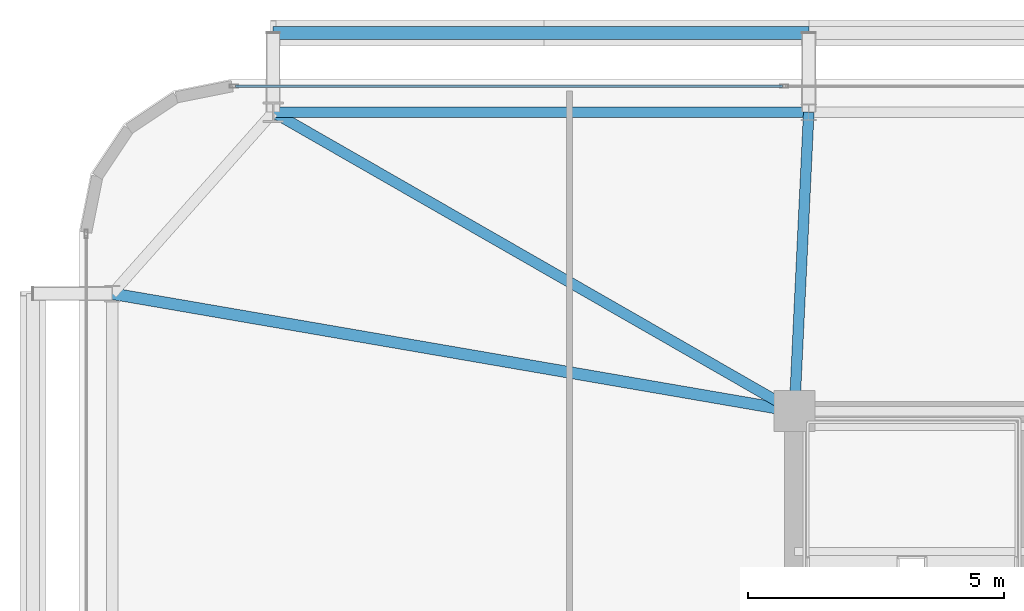
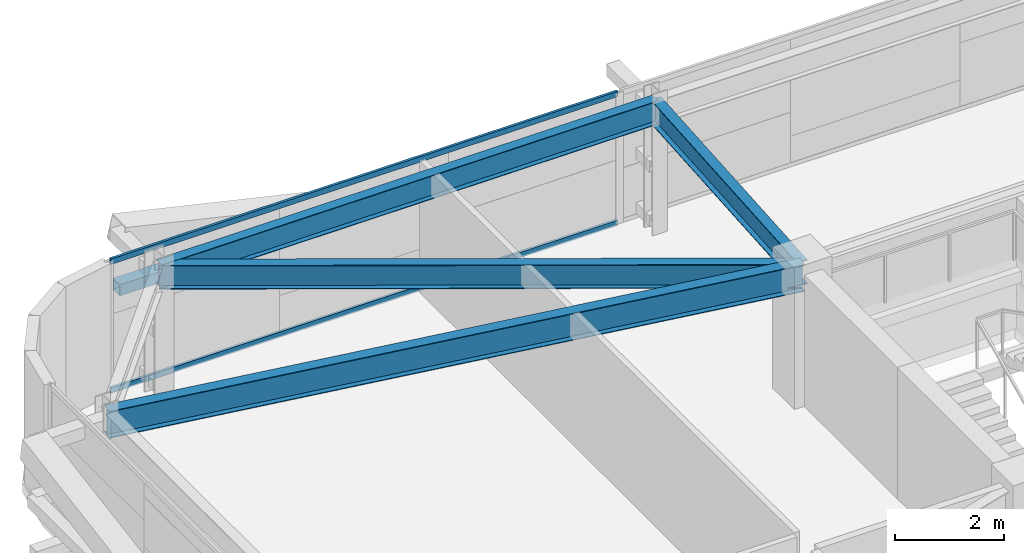
# One storey, part 22 of 44: 4 beams, 3 members, 1 element without a shape of its own.
"""IFC4 building model written with IfcOpenShell, lengths in metres."""

import ifcopenshell
import ifcopenshell.guid

model = None  # the IFC model being written
_history = None  # IfcOwnerHistory: only IFC2X3 demands one
_inside = {}  # id of a spatial element -> (the spatial element, [elements in it])
_under = {}  # id of a project, library or spatial element -> (it, [spatial elements below it])
_declared = {}  # id of a project -> (the project, [libraries it declares])
_typed = {}  # id of a type object -> (the type object, [elements of that type])
_made_of = {}  # id of a material, layer set ... -> (it, [elements and type objects made of it])


def new_model(schema):
    """Start an empty IFC model of exactly this schema.

    Asked for "IFC4X3", IfcOpenShell would pick the latest addendum, in which some entities
    have other attributes; the version numbers below select the first issue.
    IFC2X3 requires an IfcOwnerHistory on every rooted entity: one is made here for all.
    """
    global model, _history
    if schema == "IFC4X3":
        model = ifcopenshell.file(schema_version=(4, 3, 0, 0))
    else:
        model = ifcopenshell.file(schema=schema)
    _inside.clear()
    _under.clear()
    _declared.clear()
    _typed.clear()
    _made_of.clear()
    _history = None
    if model.schema == "IFC2X3":
        org = make("IfcOrganization", Name="unknown")
        user = make(
            "IfcPersonAndOrganization",
            ThePerson=make("IfcPerson", FamilyName="unknown"),
            TheOrganization=org,
        )
        app = make(
            "IfcApplication",
            ApplicationDeveloper=org,
            Version="unknown",
            ApplicationFullName="unknown",
            ApplicationIdentifier="unknown",
        )
        _history = make(
            "IfcOwnerHistory",
            OwningUser=user,
            OwningApplication=app,
            ChangeAction="ADDED",
            CreationDate=0,
        )
    return model


def make(cls, **values):
    """One entity of the class cls with the attributes given. An attribute that is None is left unset."""
    return model.create_entity(
        cls, **{name: value for name, value in values.items() if value is not None}
    )


def rooted(cls, **values):
    """An entity with a GlobalId (a new one), such as an element, a storey or a relation."""
    return make(cls, GlobalId=ifcopenshell.guid.new(), OwnerHistory=_history, **values)


def si_unit(unit_type, name, prefix=None):
    """IfcSIUnit, for example si_unit("LENGTHUNIT", "METRE", prefix="MILLI")."""
    return make("IfcSIUnit", UnitType=unit_type, Prefix=prefix, Name=name)


def assignment(units):
    """IfcUnitAssignment: the units of a project."""
    return None if units is None else make("IfcUnitAssignment", Units=units)


def point(xyz):
    """IfcCartesianPoint."""
    return None if xyz is None else make("IfcCartesianPoint", Coordinates=xyz)


def direction(xyz):
    """IfcDirection."""
    return None if xyz is None else make("IfcDirection", DirectionRatios=xyz)


def frame(location, z_axis=None, x_axis=None):
    """IfcAxis2Placement3D, a coordinate frame: its origin and axes. An axis left out is left unset."""
    return make(
        "IfcAxis2Placement3D",
        Location=point(location),
        Axis=direction(z_axis),
        RefDirection=direction(x_axis),
    )


def frame_2d(location, x_axis=None):
    """IfcAxis2Placement2D, a coordinate frame in the plane: its origin and x axis."""
    return make(
        "IfcAxis2Placement2D", Location=point(location), RefDirection=direction(x_axis)
    )


def origin():
    """The frame at (0, 0, 0) with its axes left unset."""
    return frame((0.0, 0.0, 0.0))


def origin_2d():
    """The frame at (0, 0) in the plane with its x axis left unset."""
    return frame_2d((0.0, 0.0))


def place(relative_to, where):
    """IfcLocalPlacement: puts the frame where relative to a parent placement (None: the world)."""
    return make(
        "IfcLocalPlacement", PlacementRelTo=relative_to, RelativePlacement=where
    )


def context(
    kind, dimensions, precision=None, world=None, true_north=None, identifier=None
):
    """IfcGeometricRepresentationContext, for example the 3D "Model" context."""
    return make(
        "IfcGeometricRepresentationContext",
        ContextIdentifier=identifier,
        ContextType=kind,
        CoordinateSpaceDimension=dimensions,
        Precision=precision,
        WorldCoordinateSystem=world,
        TrueNorth=true_north,
    )


def subcontext(parent, identifier, kind, view, scale=None):
    """IfcGeometricRepresentationSubContext, for example "Body" below "Model"."""
    return make(
        "IfcGeometricRepresentationSubContext",
        ContextIdentifier=identifier,
        ContextType=kind,
        ParentContext=parent,
        TargetScale=scale,
        TargetView=view,
    )


def project(units=None, contexts=None):
    """IfcProject with its units and contexts."""
    return rooted(
        "IfcProject",
        Name="project",
        RepresentationContexts=contexts,
        UnitsInContext=assignment(units),
    )


def spatial(cls, under=None, at=None, **own):
    """A site, building, storey or space (cls), placed at a placement, below another one or the project."""
    s = rooted(cls, ObjectPlacement=at, **own)
    if under is not None:
        _under.setdefault(under.id(), (under, []))[1].append(s)
    return s


def profile(cls, at=None, kind="AREA", **sizes):
    """A parametric profile (cls). Its sizes go by their IFC names, for example OverallWidth=200.0."""
    return make(cls, ProfileType=kind, Position=at, **sizes)


def hollow_rectangle(**sizes):
    """IfcRectangleHollowProfileDef."""
    return profile("IfcRectangleHollowProfileDef", **sizes)


def i_section(**sizes):
    """IfcIShapeProfileDef."""
    return profile("IfcIShapeProfileDef", **sizes)


def extrude(swept, where, along, depth):
    """IfcExtrudedAreaSolid: the profile swept, set in the frame where, extruded along a direction by depth."""
    return make(
        "IfcExtrudedAreaSolid",
        SweptArea=swept,
        Position=where,
        ExtrudedDirection=direction(along),
        Depth=depth,
    )


def shape(context_of_items, identifier, shape_type, items):
    """IfcShapeRepresentation: the items that make up one representation, for example the "Body"."""
    return make(
        "IfcShapeRepresentation",
        ContextOfItems=context_of_items,
        RepresentationIdentifier=identifier,
        RepresentationType=shape_type,
        Items=items,
    )


def source(mapping_origin, context_of_items, identifier, shape_type, items):
    """IfcRepresentationMap: a shape defined once, which mapped items show again and again."""
    return make(
        "IfcRepresentationMap",
        MappingOrigin=mapping_origin,
        MappedRepresentation=shape(context_of_items, identifier, shape_type, items),
    )


def transform(
    local_origin,
    x_axis=None,
    y_axis=None,
    z_axis=None,
    scale=None,
    scale2=None,
    scale3=None,
    uniform=True,
):
    """IfcCartesianTransformationOperator3D, or its non-uniform kind. x_axis, y_axis, z_axis: its Axis1, 2, 3."""
    if uniform:
        return make(
            "IfcCartesianTransformationOperator3D",
            Axis1=direction(x_axis),
            Axis2=direction(y_axis),
            LocalOrigin=point(local_origin),
            Scale=scale,
            Axis3=direction(z_axis),
        )
    return make(
        "IfcCartesianTransformationOperator3DnonUniform",
        Axis1=direction(x_axis),
        Axis2=direction(y_axis),
        LocalOrigin=point(local_origin),
        Scale=scale,
        Axis3=direction(z_axis),
        Scale2=scale2,
        Scale3=scale3,
    )


def mapped(mapping_source, mapping_target):
    """IfcMappedItem: shows the shape of a source again, moved by a transform."""
    return make(
        "IfcMappedItem", MappingSource=mapping_source, MappingTarget=mapping_target
    )


def material(Name=None, Category=None):
    """IfcMaterial."""
    return make("IfcMaterial", Name=Name, Category=Category)


def layer(
    of_material, thickness, ventilated=None, Name=None, Category=None, Priority=None
):
    """IfcMaterialLayer: one layer of a wall or slab, of a material (None: an air gap)."""
    return make(
        "IfcMaterialLayer",
        Material=of_material,
        LayerThickness=thickness,
        IsVentilated=ventilated,
        Name=Name,
        Category=Category,
        Priority=Priority,
    )


def layer_set(layers, Name=None):
    """IfcMaterialLayerSet."""
    return make("IfcMaterialLayerSet", MaterialLayers=layers, LayerSetName=Name)


def material_profile(
    of_material, cross_section, Name=None, Category=None, Priority=None
):
    """IfcMaterialProfile: a cross section and its material."""
    return make(
        "IfcMaterialProfile",
        Name=Name,
        Material=of_material,
        Profile=cross_section,
        Priority=Priority,
        Category=Category,
    )


def profile_set(profiles, Name=None, composite=None):
    """IfcMaterialProfileSet."""
    return make(
        "IfcMaterialProfileSet",
        Name=Name,
        MaterialProfiles=profiles,
        CompositeProfile=composite,
    )


def made_of(thing, what):
    """Note that an element or type object is made of a material, layer set ...; save() writes the relation."""
    if what is not None:
        _made_of.setdefault(what.id(), (what, []))[1].append(thing)
    return thing


def type_object(cls, material=None, **own):
    """A type object (cls), such as IfcWallType, which elements share."""
    return made_of(rooted(cls, **own), material)


def element(
    cls,
    number,
    at=None,
    inside=None,
    cuts=None,
    type_object=None,
    material=None,
    context=None,
    identifier="Body",
    shape_type=None,
    held_by="IfcProductDefinitionShape",
    body=None,
    shapes=None,
    **own,
):
    """One element of the class cls, such as IfcWall. Its Tag is "e" and its number.

    at: its placement. inside: the storey or other place that contains it. cuts: it is an
    opening in that element (IfcRelVoidsElement). A single representation is given by context,
    identifier, shape_type and body (its items); several are given by shapes. held_by: the class
    of the entity that holds the representations. save() writes the other relations.
    """
    e = rooted(cls, Tag="e%d" % number, ObjectPlacement=at, **own)
    if body is not None:
        shapes = [shape(context, identifier, shape_type, body)]
    if shapes is not None:
        e.Representation = make(held_by, Representations=shapes)
    if inside is not None:
        _inside.setdefault(inside.id(), (inside, []))[1].append(e)
    if cuts is not None:
        rooted(
            "IfcRelVoidsElement", RelatingBuildingElement=cuts, RelatedOpeningElement=e
        )
    if type_object is not None:
        _typed.setdefault(type_object.id(), (type_object, []))[1].append(e)
    return made_of(e, material)


def aggregate(whole, parts):
    """IfcRelAggregates: a whole, such as a stair, and the parts it consists of."""
    return rooted("IfcRelAggregates", RelatingObject=whole, RelatedObjects=parts)


def save(model, path):
    """Write the relations noted so far, then the file.

    IfcRelAggregates (storeys below a building ...), IfcRelContainedInSpatialStructure (elements
    in a storey), IfcRelDefinesByType, IfcRelAssociatesMaterial and IfcRelDeclares: one each for
    every whole, place, type object, material and project.
    """
    for whole, parts in _under.values():
        aggregate(whole, parts)
    for where, things in _inside.values():
        rooted(
            "IfcRelContainedInSpatialStructure",
            RelatedElements=things,
            RelatingStructure=where,
        )
    for kind, things in _typed.values():
        rooted("IfcRelDefinesByType", RelatedObjects=things, RelatingType=kind)
    for what, things in _made_of.values():
        rooted("IfcRelAssociatesMaterial", RelatedObjects=things, RelatingMaterial=what)
    for by, libraries in _declared.values():
        rooted("IfcRelDeclares", RelatingContext=by, RelatedDefinitions=libraries)
    model.write(path)


model = new_model("IFC4")

# Units and contexts
model_context = context("Model", 3, precision=1e-05, world=origin(), true_north=direction((0.0, 1.0)))
body_context = subcontext(model_context, "Body", "Model", "MODEL_VIEW")
ifc_project = project(units=[si_unit("LENGTHUNIT", "METRE"), si_unit("AREAUNIT", "SQUARE_METRE"), si_unit("VOLUMEUNIT", "CUBIC_METRE"), si_unit("PLANEANGLEUNIT", "RADIAN"), si_unit("MASSUNIT", "GRAM", prefix="KILO")], contexts=[model_context])

# Site, building, storey
site_placement = place(None, origin())
site = spatial("IfcSite", under=ifc_project, at=site_placement, CompositionType="ELEMENT")
building_placement = place(site_placement, origin())
building = spatial("IfcBuilding", under=site, at=building_placement, Name="Taldren Reach Tower", CompositionType="ELEMENT")
storey_placement = place(building_placement, frame((0.0, 0.0, 38.85009765625)))
storey = spatial("IfcBuildingStorey", under=building, at=storey_placement, Name="L11", CompositionType="ELEMENT", Elevation=38.85009765625)

# Beams
ifc_material_1 = material(Name="Steel Gr 350 (350PLUS)", Category="steel")
ifc_material_profile_1 = material_profile(ifc_material_1, i_section(OverallWidth=0.208984375, OverallDepth=0.528076171875, WebThickness=0.009521484375, FlangeThickness=0.01318359375, at=origin_2d()), Name="530UB82.0")
ifc_profile_set_1 = profile_set([ifc_material_profile_1], Name="Steel Gr 350 (350PLUS)")
beam_type_1 = type_object("IfcBeamType", Name="SP-UB530B", PredefinedType="SPANDREL", material=ifc_profile_set_1)
shared_shape_1 = source(origin(), body_context, "Body", "SweptSolid", [
    extrude(i_section(OverallWidth=0.208984375, OverallDepth=0.528076171875, WebThickness=0.009521484375, FlangeThickness=0.01318359375, at=origin_2d()), origin(), (0.0, 0.0, 1.0), 10.47998046875),
])
beam_1_placement = place(storey_placement, frame((19.280029296875, 37.85009765625, 2.666015625), z_axis=(-1.0, 0.0, 0.0), x_axis=(0.0, -1.0, 0.0)))
element("IfcBeam", 1, at=beam_1_placement, inside=storey, type_object=beam_type_1, Name="Perimeter spandrel B1 N2-N1 L11", PredefinedType="SPANDREL", context=body_context, shape_type="MappedRepresentation", body=[
    mapped(shared_shape_1, transform((0.0, 0.0, 0.0), scale=1.0)),
])
ifc_material_profile_2 = material_profile(ifc_material_1, i_section(OverallWidth=0.22802734375, OverallDepth=0.60205078125, WebThickness=0.010498046875, FlangeThickness=0.014892578125, at=origin_2d()), Name="610UB101")
ifc_profile_set_2 = profile_set([ifc_material_profile_2], Name="Steel Gr 350 (350PLUS)")
beam_type_2 = type_object("IfcBeamType", Name="BM-UB610B", PredefinedType="BEAM", material=ifc_profile_set_2)
shared_shape_2 = source(origin(), body_context, "Body", "SweptSolid", [
    extrude(i_section(OverallWidth=0.22802734375, OverallDepth=0.60205078125, WebThickness=0.010498046875, FlangeThickness=0.014892578125, at=origin_2d()), origin(), (0.0, 0.0, 1.0), 13.546875),
])
beam_2_placement = place(storey_placement, frame((19.0, 32.0, 2.62890625), z_axis=(-0.985481022998, 0.169785609847, 0.0), x_axis=(-0.169785609847, -0.985481022998, 0.0)))
element("IfcBeam", 2, at=beam_2_placement, inside=storey, type_object=beam_type_2, Name="Primary floor girder B1-W3 L11", PredefinedType="BEAM", context=body_context, shape_type="MappedRepresentation", body=[
    mapped(shared_shape_2, transform((0.0, 0.0, 0.0), scale=1.0)),
])
ifc_material_profile_3 = material_profile(ifc_material_1, i_section(OverallWidth=0.208984375, OverallDepth=0.532958984375, WebThickness=0.01025390625, FlangeThickness=0.015625, at=origin_2d()), Name="530UB92.4")
ifc_profile_set_3 = profile_set([ifc_material_profile_3], Name="Steel Gr 350 (350PLUS)")
beam_type_3 = type_object("IfcBeamType", Name="BM-UB530A", PredefinedType="BEAM", material=ifc_profile_set_3)
shared_shape_3 = source(origin(), body_context, "Body", "SweptSolid", [
    extrude(i_section(OverallWidth=0.208984375, OverallDepth=0.532958984375, WebThickness=0.01025390625, FlangeThickness=0.015625, at=origin_2d()), origin(), (0.0, 0.0, 1.0), 11.758544921875),
])
beam_3_placement = place(storey_placement, frame((19.0, 32.0, 2.663330078125), z_axis=(-0.867452414141, 0.497520159593, 0.0), x_axis=(-0.497520159593, -0.867452414141, 0.0)))
element("IfcBeam", 3, at=beam_3_placement, inside=storey, type_object=beam_type_3, Name="Primary floor girder B1-N1 L11", PredefinedType="BEAM", context=body_context, shape_type="MappedRepresentation", body=[
    mapped(shared_shape_3, transform((0.0, 0.0, 0.0), scale=1.0)),
])
shared_shape_4 = source(origin(), body_context, "Body", "SweptSolid", [
    extrude(i_section(OverallWidth=0.208984375, OverallDepth=0.532958984375, WebThickness=0.01025390625, FlangeThickness=0.015625, at=origin_2d()), origin(), (0.0, 0.0, 1.0), 5.856689453125),
])
beam_4_placement = place(storey_placement, frame((19.0, 32.0, 2.663330078125), z_axis=(0.047812711672, 0.998856318297, 0.0), x_axis=(-0.998856318297, 0.047812711672, 0.0)))
element("IfcBeam", 4, at=beam_4_placement, inside=storey, type_object=beam_type_3, Name="Primary floor girder B1-N2 L11", PredefinedType="BEAM", context=body_context, shape_type="MappedRepresentation", body=[
    mapped(shared_shape_4, transform((0.0, 0.0, 0.0), scale=1.0)),
])

# Member
ifc_material_2 = material(Name="Steel Gr 350 (C350L0)", Category="steel")
ifc_material_profile_4 = material_profile(ifc_material_2, hollow_rectangle(XDim=0.25, YDim=0.25, WallThickness=0.010009765625, at=origin_2d()), Name="250x250x10.0SHS")
ifc_profile_set_4 = profile_set([ifc_material_profile_4], Name="Steel Gr 350 (C350L0)")
member_type_1 = type_object("IfcMemberType", Name="MB-POST250", PredefinedType="POST", material=ifc_profile_set_4)
shared_shape_5 = source(origin(), body_context, "Body", "SweptSolid", [
    extrude(hollow_rectangle(XDim=0.25, YDim=0.25, WallThickness=0.010009765625, at=origin_2d()), origin(), (0.0, 0.0, 1.0), 10.47998046875),
])
member_1_placement = place(storey_placement, frame((8.800048828125, 39.39990234375, 1.434814453125), z_axis=(1.0, 0.0, 0.0), x_axis=(0.0, 1.0, 0.0)))
element("IfcMember", 5, at=member_1_placement, inside=storey, type_object=member_type_1, Name="Exoskeleton mid-height ring chord B1-N1 L11", PredefinedType="POST", context=body_context, shape_type="MappedRepresentation", body=[
    mapped(shared_shape_5, transform((0.0, 0.0, 0.0), scale=1.0)),
])

# Curtain wall, members
ifc_material_3 = material(Name="Aluminium and Low-E Glass Unitised System", Category="aluminium")
ifc_layer = layer(ifc_material_3, 0.159912109375)
ifc_layer_set = layer_set([ifc_layer], Name="Aluminium and Low-E Glass Unitised System")
curtain_wall_type = type_object("IfcCurtainWallType", Name="CW-SYS-2", PredefinedType="NOTDEFINED", material=ifc_layer_set)
curtain_wall_placement = place(storey_placement, origin())
curtain_wall = element("IfcCurtainWall", 6, at=curtain_wall_placement, inside=storey, type_object=curtain_wall_type, Name="Unitised curtain wall CW-L11-N", PredefinedType="NOTDEFINED")
ifc_material_4 = material(Name="Anodised Aluminium 6063-T6", Category="aluminium")
ifc_material_profile_5 = material_profile(ifc_material_4, hollow_rectangle(XDim=0.054931640625, YDim=0.1201171875, WallThickness=0.0029296875, at=origin_2d()), Name="ALU-120x55x3RHS")
ifc_profile_set_5 = profile_set([ifc_material_profile_5], Name="Anodised Aluminium 6063-T6")
member_type_2 = type_object("IfcMemberType", Name="CW-TRN-135", PredefinedType="USERDEFINED", material=ifc_profile_set_5)
shared_shape_6 = source(origin(), body_context, "Body", "SweptSolid", [
    extrude(hollow_rectangle(XDim=0.054931640625, YDim=0.1201171875, WallThickness=0.0029296875, at=origin_2d()), origin(), (0.0, 0.0, 1.0), 10.70263671875),
])
member_2_placement = place(storey_placement, frame((18.767578125, 38.360107421875, 0.02734375), z_axis=(-1.0, 0.0, 0.0), x_axis=(0.0, -1.0, 0.0)))
member_2 = element("IfcMember", 7, at=member_2_placement, type_object=member_type_2, Name="CW-2 transom 5.1", ObjectType="TRANSOM", PredefinedType="USERDEFINED", context=body_context, shape_type="MappedRepresentation", body=[
    mapped(shared_shape_6, transform((0.0, 0.0, 0.0), scale=1.0)),
])
member_3_placement = place(storey_placement, frame((18.767578125, 38.360107421875, 2.90234375), z_axis=(-1.0, 0.0, 0.0), x_axis=(0.0, -1.0, 0.0)))
member_3 = element("IfcMember", 8, at=member_3_placement, type_object=member_type_2, Name="CW-2 transom 5.2", ObjectType="TRANSOM", PredefinedType="USERDEFINED", context=body_context, shape_type="MappedRepresentation", body=[
    mapped(shared_shape_6, transform((0.0, 0.0, 0.0), scale=1.0)),
])
aggregate(curtain_wall, [member_2, member_3])

save(model, "model.ifc")
